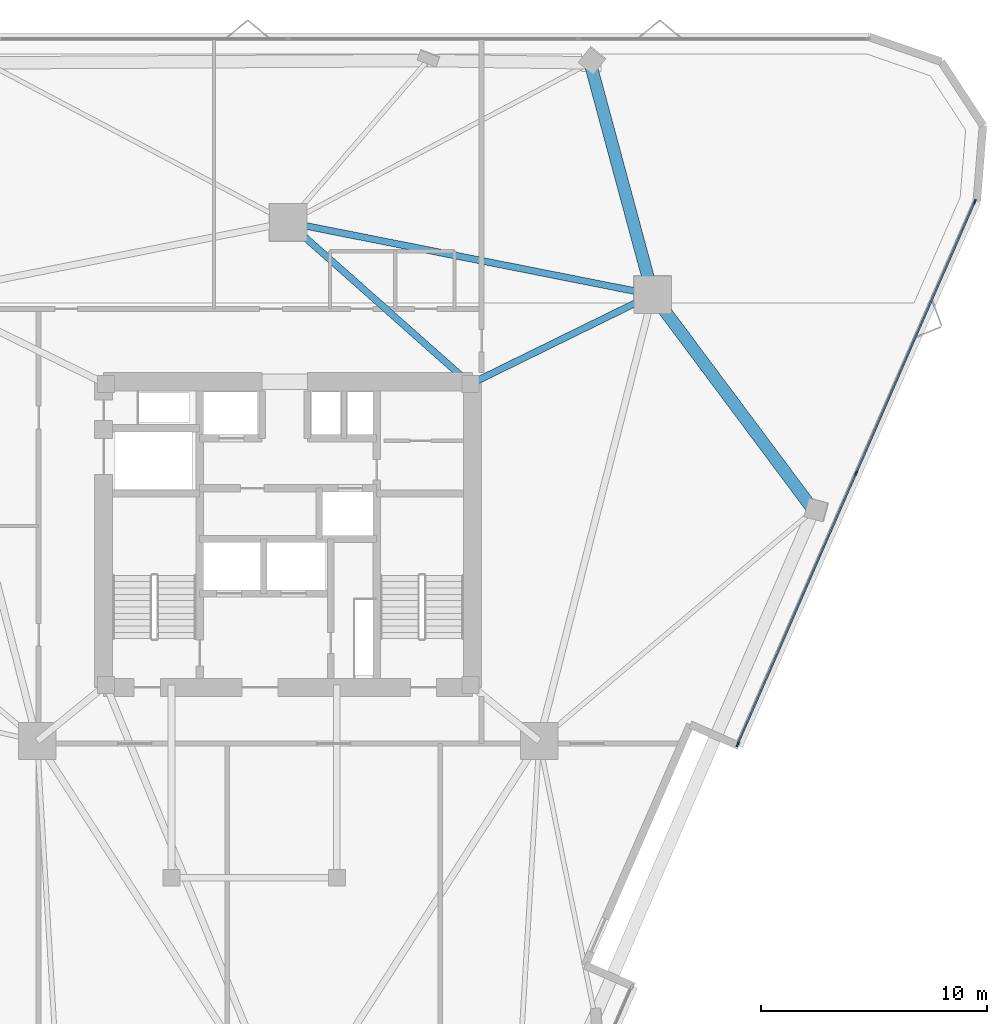
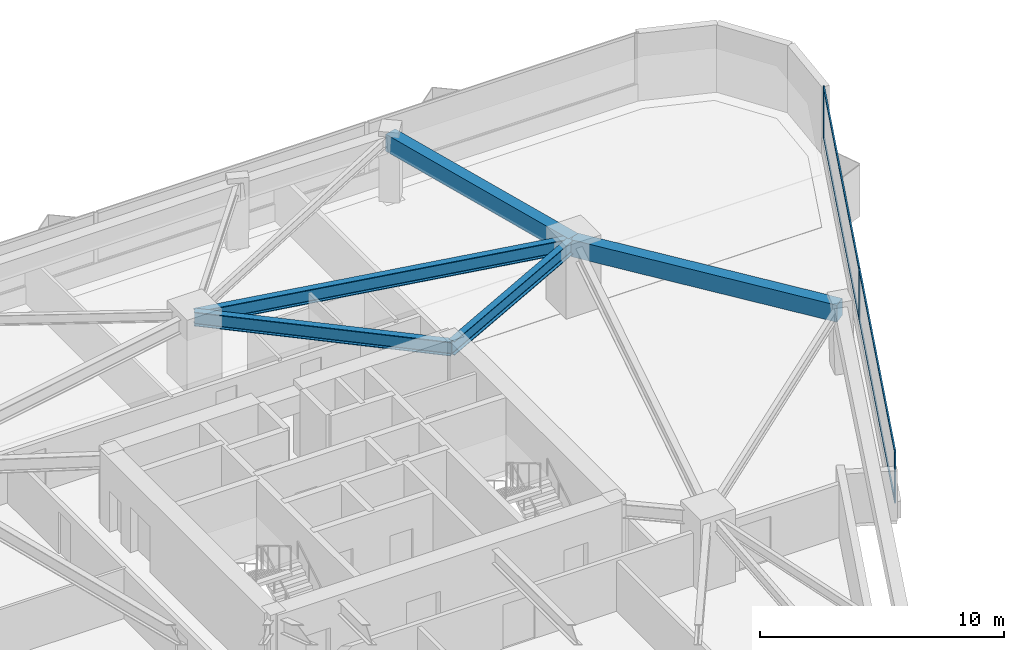
# One storey, part 6 of 15: 7 members, 5 beams, 1 element without a shape of its own.
"""IFC4 building model written with IfcOpenShell, lengths in metres."""

from ifc_helpers import new_model, si_unit, direction, frame, origin, origin_2d, place, context, subcontext, project, spatial, rectangle, i_section, extrude, material, layer, layer_set, material_profile, profile_set, type_object, element, aggregate, save


model = new_model("IFC4")

# Units and contexts
model_context = context("Model", 3, precision=1e-05, world=origin(), true_north=direction((0.0, 1.0)))
body_context = subcontext(model_context, "Body", "Model", "MODEL_VIEW")
ifc_project = project(units=[si_unit("LENGTHUNIT", "METRE"), si_unit("AREAUNIT", "SQUARE_METRE"), si_unit("VOLUMEUNIT", "CUBIC_METRE"), si_unit("PLANEANGLEUNIT", "RADIAN"), si_unit("MASSUNIT", "GRAM", prefix="KILO")], contexts=[model_context])

# Site, building, storey
site_placement = place(None, origin())
site = spatial("IfcSite", under=ifc_project, at=site_placement, CompositionType="ELEMENT")
building_placement = place(site_placement, origin())
building = spatial("IfcBuilding", under=site, at=building_placement, Name="Talyreon Biosciences Tower", CompositionType="ELEMENT")
storey_placement = place(building_placement, frame((0.0, 0.0, 100.550048828125)))
storey = spatial("IfcBuildingStorey", under=building, at=storey_placement, Name="L26", CompositionType="ELEMENT", Elevation=100.550048828125)

# Curtain wall, members
ifc_material_1 = material(Name="Thermally broken aluminium and low-E glazing", Category="aluminium")
ifc_layer = layer(ifc_material_1, 0.205078125)
ifc_layer_set = layer_set([ifc_layer], Name="Thermally broken aluminium and low-E glazing")
curtain_wall_type = type_object("IfcCurtainWallType", Name="CurtainWall_SkyGardenLoggia", PredefinedType="NOTDEFINED", material=ifc_layer_set)
curtain_wall_placement = place(storey_placement, origin())
curtain_wall = element("IfcCurtainWall", 1, at=curtain_wall_placement, inside=storey, type_object=curtain_wall_type, Name="L26 Unitised Curtain Wall FCW-L26-07", PredefinedType="NOTDEFINED")
ifc_material_2 = material(Name="Anodised thermally broken aluminium", Category="aluminium")
ifc_material_profile_1 = material_profile(ifc_material_2, rectangle(XDim=0.074951171875, YDim=0.2099609375, at=origin_2d()), Name="ALUM MULLION 75x210")
ifc_profile_set_1 = profile_set([ifc_material_profile_1], Name="Anodised thermally broken aluminium")
member_type_1 = type_object("IfcMemberType", Name="CWMullion_75x210", PredefinedType="MULLION", material=ifc_profile_set_1)
member_1_placement = place(storey_placement, frame((96.33056640625, 82.7021484375, 0.81005859375), z_axis=(0.0, 0.0, 1.0), x_axis=(0.916346971051, -0.40038510043, 0.0)))
member_1 = element("IfcMember", 2, at=member_1_placement, type_object=member_type_1, Name="CW7 mullion 1", PredefinedType="MULLION", context=body_context, shape_type="SweptSolid", body=[
    extrude(rectangle(XDim=0.074951171875, YDim=0.2099609375, at=origin_2d()), origin(), (0.0, 0.0, 1.0), 2.56494140625),
])
member_2_placement = place(storey_placement, frame((91.09326171875, 70.7158203125, 0.81005859375), z_axis=(0.0, 0.0, 1.0), x_axis=(0.916346971051, -0.40038510043, 0.0)))
member_2 = element("IfcMember", 3, at=member_2_placement, type_object=member_type_1, Name="CW7 mullion 2", PredefinedType="MULLION", context=body_context, shape_type="SweptSolid", body=[
    extrude(rectangle(XDim=0.074951171875, YDim=0.2099609375, at=origin_2d()), origin(), (0.0, 0.0, 1.0), 2.56494140625),
])
member_3_placement = place(storey_placement, frame((85.85595703125, 58.7294921875, 0.81005859375), z_axis=(0.0, 0.0, 1.0), x_axis=(0.916346971051, -0.40038510043, 0.0)))
member_3 = element("IfcMember", 4, at=member_3_placement, type_object=member_type_1, Name="CW7 mullion 3", PredefinedType="MULLION", context=body_context, shape_type="SweptSolid", body=[
    extrude(rectangle(XDim=0.074951171875, YDim=0.2099609375, at=origin_2d()), origin(), (0.0, 0.0, 1.0), 2.56494140625),
])
ifc_material_profile_2 = material_profile(ifc_material_2, rectangle(XDim=0.06494140625, YDim=0.139892578125, at=origin_2d()), Name="ALUM TRANSOM 65x140")
ifc_profile_set_2 = profile_set([ifc_material_profile_2], Name="Anodised thermally broken aluminium")
member_type_2 = type_object("IfcMemberType", Name="CWTransom_65x140", PredefinedType="USERDEFINED", material=ifc_profile_set_2)
member_4_placement = place(storey_placement, frame((96.3154296875, 82.66796875, 0.842529296875), z_axis=(-0.400384513309, -0.916347227585, 0.0), x_axis=(0.916347227585, -0.400384513309, 0.0)))
member_4 = element("IfcMember", 5, at=member_4_placement, type_object=member_type_2, Name="CW7 transom 1.1", ObjectType="TRANSOM", PredefinedType="USERDEFINED", context=body_context, shape_type="SweptSolid", body=[
    extrude(rectangle(XDim=0.06494140625, YDim=0.139892578125, at=origin_2d()), origin(), (0.0, 0.0, 1.0), 13.005615234375),
])
member_5_placement = place(storey_placement, frame((96.3154296875, 82.66796875, 3.342529296875), z_axis=(-0.400384513309, -0.916347227585, 0.0), x_axis=(0.916347227585, -0.400384513309, 0.0)))
member_5 = element("IfcMember", 6, at=member_5_placement, type_object=member_type_2, Name="CW7 transom 1.2", ObjectType="TRANSOM", PredefinedType="USERDEFINED", context=body_context, shape_type="SweptSolid", body=[
    extrude(rectangle(XDim=0.06494140625, YDim=0.139892578125, at=origin_2d()), origin(), (0.0, 0.0, 1.0), 13.005615234375),
])
member_6_placement = place(storey_placement, frame((91.078125, 70.681396484375, 0.842529296875), z_axis=(-0.400391400638, -0.916344218236, 0.0), x_axis=(0.916344218236, -0.400391400638, 0.0)))
member_6 = element("IfcMember", 7, at=member_6_placement, type_object=member_type_2, Name="CW7 transom 2.1", ObjectType="TRANSOM", PredefinedType="USERDEFINED", context=body_context, shape_type="SweptSolid", body=[
    extrude(rectangle(XDim=0.06494140625, YDim=0.139892578125, at=origin_2d()), origin(), (0.0, 0.0, 1.0), 13.00537109375),
])
member_7_placement = place(storey_placement, frame((91.078125, 70.681396484375, 3.342529296875), z_axis=(-0.400391400638, -0.916344218236, 0.0), x_axis=(0.916344218236, -0.400391400638, 0.0)))
member_7 = element("IfcMember", 8, at=member_7_placement, type_object=member_type_2, Name="CW7 transom 2.2", ObjectType="TRANSOM", PredefinedType="USERDEFINED", context=body_context, shape_type="SweptSolid", body=[
    extrude(rectangle(XDim=0.06494140625, YDim=0.139892578125, at=origin_2d()), origin(), (0.0, 0.0, 1.0), 13.00537109375),
])
aggregate(curtain_wall, [member_1, member_2, member_3, member_4, member_5, member_6, member_7])

# Beams
ifc_material_3 = material(Name="Precast concrete C45/55", Category="concrete")
ifc_material_profile_3 = material_profile(ifc_material_3, rectangle(XDim=0.550048828125, YDim=0.85009765625, at=origin_2d()), Name="RCB 550x850")
ifc_profile_set_3 = profile_set([ifc_material_profile_3], Name="Precast concrete C45/55")
beam_type_1 = type_object("IfcBeamType", Name="ExpressedSpandrel_550x850", PredefinedType="SPANDREL", material=ifc_profile_set_3)
beam_1_placement = place(storey_placement, frame((89.208251953125, 69.073974609375, 2.949951171875), z_axis=(-0.597976477539, 0.801513650732, 0.0), x_axis=(-0.801513650732, -0.597976477539, 0.0)))
element("IfcBeam", 9, at=beam_1_placement, inside=storey, type_object=beam_type_1, Name="L26 Expressed Horizontal Concrete Spandrel 04", PredefinedType="SPANDREL", context=body_context, shape_type="SweptSolid", body=[
    extrude(rectangle(XDim=0.550048828125, YDim=0.85009765625, at=origin_2d()), origin(), (0.0, 0.0, 1.0), 11.88330078125),
])
beam_2_placement = place(storey_placement, frame((82.102294921875, 78.5986328125, 2.949951171875), z_axis=(-0.260484520387, 0.965478023903, 0.0), x_axis=(-0.965478023903, -0.260484520387, 0.0)))
element("IfcBeam", 10, at=beam_2_placement, inside=storey, type_object=beam_type_1, Name="L26 Expressed Horizontal Concrete Spandrel 05", PredefinedType="SPANDREL", context=body_context, shape_type="SweptSolid", body=[
    extrude(rectangle(XDim=0.550048828125, YDim=0.85009765625, at=origin_2d()), origin(), (0.0, 0.0, 1.0), 10.60400390625),
])
ifc_material_4 = material(Name="Steel SM355", Category="steel")
ifc_material_profile_4 = material_profile(ifc_material_4, i_section(OverallWidth=0.300048828125, OverallDepth=0.699951171875, WebThickness=0.01708984375, FlangeThickness=0.031982421875, FilletRadius=0.027099609375, at=origin_2d()), Name="HE700B")
ifc_profile_set_4 = profile_set([ifc_material_profile_4], Name="Steel SM355")
beam_type_2 = type_object("IfcBeamType", Name="SteelGirder_HE700B", PredefinedType="BEAM", material=ifc_profile_set_4)
beam_3_placement = place(storey_placement, frame((82.102294921875, 78.5986328125, 3.02490234375), z_axis=(-0.980933730698, 0.194342522311, 0.0), x_axis=(-0.194342522311, -0.980933730698, 0.0)))
element("IfcBeam", 11, at=beam_3_placement, inside=storey, type_object=beam_type_2, Name="L26 Mega-Ring Girder 3", PredefinedType="BEAM", context=body_context, shape_type="SweptSolid", body=[
    extrude(i_section(OverallWidth=0.300048828125, OverallDepth=0.699951171875, WebThickness=0.01708984375, FlangeThickness=0.031982421875, FilletRadius=0.027099609375, at=origin_2d()), origin(), (0.0, 0.0, 1.0), 16.415283203125),
])
beam_4_placement = place(storey_placement, frame((74.050048828125, 74.64990234375, 3.02490234375), z_axis=(0.897852360314, 0.440296648952, 0.0), x_axis=(-0.440296648952, 0.897852360314, 0.0)))
element("IfcBeam", 12, at=beam_4_placement, inside=storey, type_object=beam_type_2, Name="L26 Radial Primary Girder 3", PredefinedType="BEAM", context=body_context, shape_type="SweptSolid", body=[
    extrude(i_section(OverallWidth=0.300048828125, OverallDepth=0.699951171875, WebThickness=0.01708984375, FlangeThickness=0.031982421875, FilletRadius=0.027099609375, at=origin_2d()), origin(), (0.0, 0.0, 1.0), 8.96826171875),
])
beam_5_placement = place(storey_placement, frame((74.050048828125, 74.64990234375, 3.02490234375), z_axis=(-0.748178733955, 0.663497235908, 0.0), x_axis=(-0.663497235908, -0.748178733955, 0.0)))
element("IfcBeam", 13, at=beam_5_placement, inside=storey, type_object=beam_type_2, Name="L26 Radial Primary Girder 4", PredefinedType="BEAM", context=body_context, shape_type="SweptSolid", body=[
    extrude(i_section(OverallWidth=0.300048828125, OverallDepth=0.699951171875, WebThickness=0.01708984375, FlangeThickness=0.031982421875, FilletRadius=0.027099609375, at=origin_2d()), origin(), (0.0, 0.0, 1.0), 10.759521484375),
])

save(model, "model.ifc")
